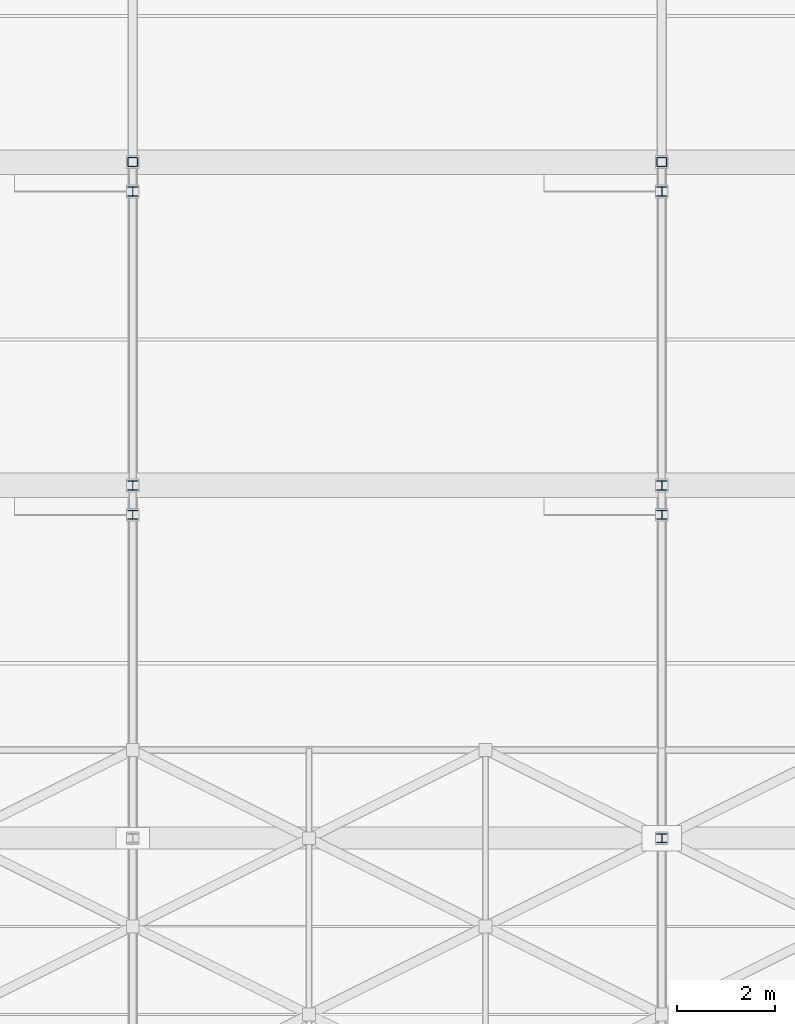
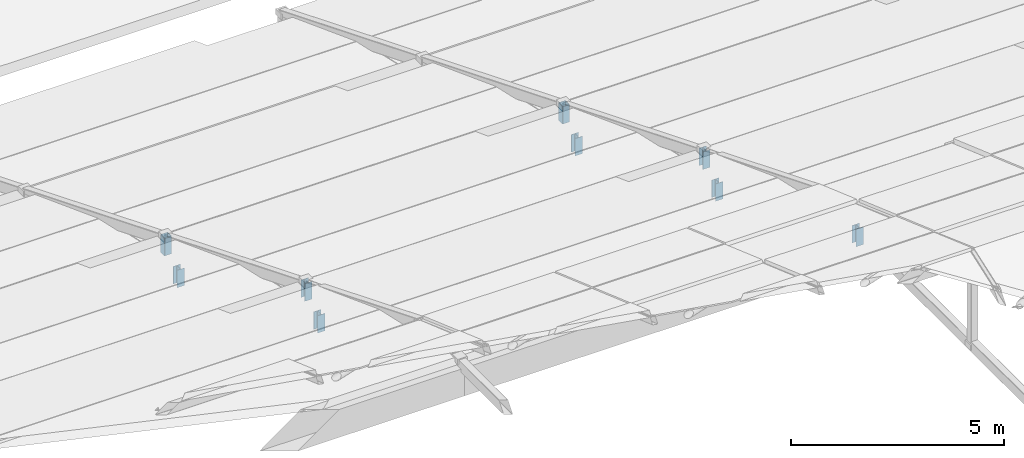
# One storey, part 91 of 112: 9 members.
"""IFC4 building model written with IfcOpenShell, lengths in metres."""

from ifc_helpers import new_model, si_unit, direction, frame, origin, origin_2d, place, context, subcontext, project, spatial, hollow_rectangle, i_section, extrude, material, material_profile, profile_set, type_object, element, save


model = new_model("IFC4")

# Units and contexts
model_context = context("Model", 3, precision=1e-05, world=origin(), true_north=direction((0.0, 1.0)))
body_context = subcontext(model_context, "Body", "Model", "MODEL_VIEW")
ifc_project = project(units=[si_unit("LENGTHUNIT", "METRE"), si_unit("AREAUNIT", "SQUARE_METRE"), si_unit("VOLUMEUNIT", "CUBIC_METRE"), si_unit("PLANEANGLEUNIT", "RADIAN"), si_unit("MASSUNIT", "GRAM", prefix="KILO")], contexts=[model_context])

# Site, building, storey
site_placement = place(None, origin())
site = spatial("IfcSite", under=ifc_project, at=site_placement, CompositionType="ELEMENT")
building_placement = place(site_placement, origin())
building = spatial("IfcBuilding", under=site, at=building_placement, Name="Zwinboog Wholesale Market", CompositionType="ELEMENT")
storey_placement = place(building_placement, frame((0.0, 0.0, 19.080078125)))
storey = spatial("IfcBuildingStorey", under=building, at=storey_placement, Name="Roof", CompositionType="ELEMENT", Elevation=19.080078125)

# Members
ifc_material = material(Name="Steel S355", Category="steel")
ifc_material_profile_1 = material_profile(ifc_material, hollow_rectangle(XDim=0.199951171875, YDim=0.199951171875, WallThickness=0.010009765625, InnerFilletRadius=0.010009765625, OuterFilletRadius=0.02001953125, at=origin_2d()), Name="SHS 200x200x10")
ifc_profile_set_1 = profile_set([ifc_material_profile_1], Name="Steel S355")
member_type_1 = type_object("IfcMemberType", Name="MT-04", PredefinedType="BRACE", material=ifc_profile_set_1)
for number, where, z_axis, x_axis, name in (
    (1, (129.60009765625, 94.800048828125, -4.630126953125), (0.0, 0.0, 1.0), (1.0, 0.0, 0.0), "DB-01 (MEM-Roof-0201)"),
    (2, (140.39990234375, 94.800048828125, -4.630126953125), (0.0, 0.0, 1.0), (1.0, 0.0, 0.0), "DB-01 (MEM-Roof-0231)"),
):
    element("IfcMember", number, at=place(storey_placement, frame(where, z_axis=z_axis, x_axis=x_axis)), inside=storey, type_object=member_type_1, Name=name, PredefinedType="BRACE", context=body_context, shape_type="SweptSolid", body=[
        extrude(hollow_rectangle(XDim=0.199951171875, YDim=0.199951171875, WallThickness=0.010009765625, InnerFilletRadius=0.010009765625, OuterFilletRadius=0.02001953125, at=origin_2d()), origin(), (0.0, 0.0, 1.0), 0.5),
    ])
ifc_material_profile_2 = material_profile(ifc_material, i_section(OverallWidth=0.199951171875, OverallDepth=0.18994140625, WebThickness=0.006591796875, FlangeThickness=0.010009765625, FilletRadius=0.01806640625, at=origin_2d()), Name="HEA 200")
ifc_profile_set_2 = profile_set([ifc_material_profile_2], Name="Steel S355")
member_type_2 = type_object("IfcMemberType", Name="MT-05", PredefinedType="BRACE", material=ifc_profile_set_2)
for number, where, z_axis, x_axis, name in (
    (3, (129.60009765625, 94.199951171875, -5.18017578125), (0.0, 0.0, 1.0), (1.0, 0.0, 0.0), "DB-02 (MEM-Roof-0199)"),
    (4, (129.60009765625, 87.60009765625, -2.47998046875), (0.0, 0.0, 1.0), (1.0, 0.0, 0.0), "DB-02 (MEM-Roof-0202)"),
    (5, (129.60009765625, 88.199951171875, -1.93017578125), (0.0, 0.0, 1.0), (1.0, 0.0, 0.0), "DB-02 (MEM-Roof-0204)"),
    (6, (140.39990234375, 94.199951171875, -5.18017578125), (0.0, 0.0, 1.0), (1.0, 0.0, 0.0), "DB-02 (MEM-Roof-0229)"),
    (7, (140.39990234375, 87.60009765625, -2.47998046875), (0.0, 0.0, 1.0), (1.0, 0.0, 0.0), "DB-02 (MEM-Roof-0232)"),
    (8, (140.39990234375, 88.199951171875, -1.93017578125), (0.0, 0.0, 1.0), (1.0, 0.0, 0.0), "DB-02 (MEM-Roof-0234)"),
    (9, (140.39990234375, 81.0, 0.219970703125), (0.0, 0.0, 1.0), (1.0, 0.0, 0.0), "DB-02 (MEM-Roof-0235)"),
):
    element("IfcMember", number, at=place(storey_placement, frame(where, z_axis=z_axis, x_axis=x_axis)), inside=storey, type_object=member_type_2, Name=name, PredefinedType="BRACE", context=body_context, shape_type="SweptSolid", body=[
        extrude(i_section(OverallWidth=0.199951171875, OverallDepth=0.18994140625, WebThickness=0.006591796875, FlangeThickness=0.010009765625, FilletRadius=0.01806640625, at=origin_2d()), origin(), (0.0, 0.0, 1.0), 0.5),
    ])

save(model, "model.ifc")
